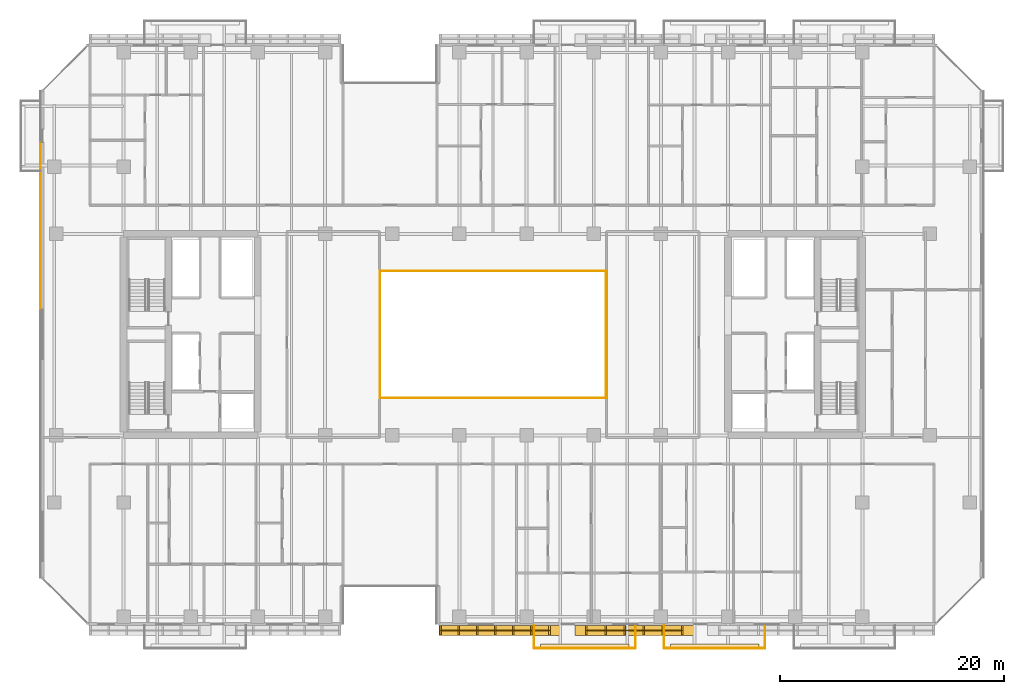
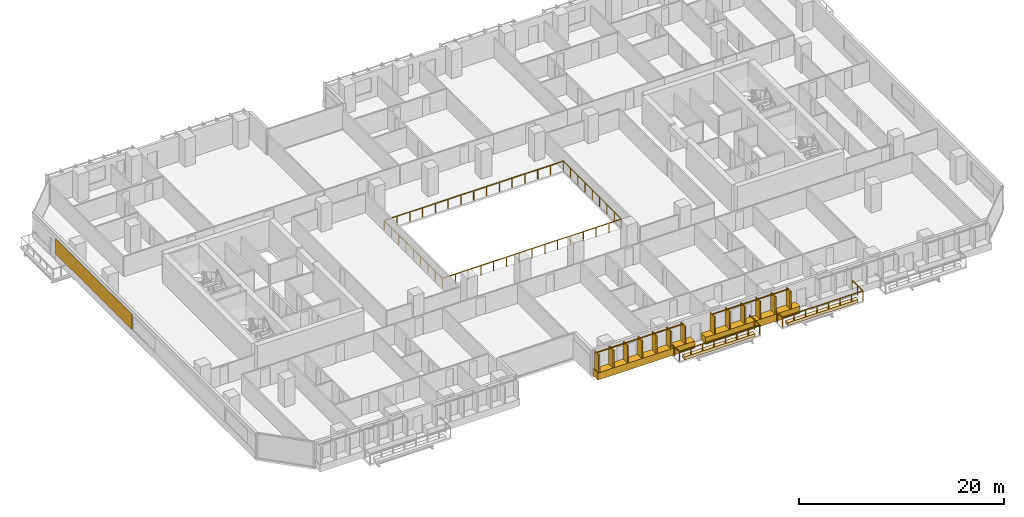
# One storey, part 28 of 33: 6 railings, 5 coverings.
"""IFC4 building model written with IfcOpenShell, lengths in metres."""

from ifc_helpers import new_model, si_unit, direction, frame, origin, origin_2d, place, context, subcontext, project, spatial, polyline, rectangle, outline, extrude, material, layer, layer_set, type_object, element, save


model = new_model("IFC4")

# Units and contexts
model_context = context("Model", 3, precision=1e-05, world=origin(), true_north=direction((0.0, 1.0)))
body_context = subcontext(model_context, "Body", "Model", "MODEL_VIEW")
ifc_project = project(units=[si_unit("LENGTHUNIT", "METRE"), si_unit("AREAUNIT", "SQUARE_METRE"), si_unit("VOLUMEUNIT", "CUBIC_METRE"), si_unit("PLANEANGLEUNIT", "RADIAN"), si_unit("MASSUNIT", "GRAM", prefix="KILO")], contexts=[model_context])

# Site, building, storey
site_placement = place(None, origin())
site = spatial("IfcSite", under=ifc_project, at=site_placement, CompositionType="ELEMENT")
building_placement = place(site_placement, origin())
building = spatial("IfcBuilding", under=site, at=building_placement, Name="Tanjung Sevakor Pilgrim Tower", CompositionType="ELEMENT")
storey_placement = place(building_placement, frame((0.0, 0.0, 52.139892578125)))
storey = spatial("IfcBuildingStorey", under=building, at=storey_placement, Name="L14", CompositionType="ELEMENT", Elevation=52.139892578125)

# Coverings
ifc_material_1 = material(Name="Reconstructed Limestone Cladding", Category="masonry")
ifc_layer_1 = layer(ifc_material_1, 0.044921875)
ifc_layer_set_1 = layer_set([ifc_layer_1], Name="COV-CLAD-LIMESTONE")
covering_type_1 = type_object("IfcCoveringType", Name="COV-CLAD-LIMESTONE", PredefinedType="CLADDING", material=ifc_layer_set_1)
covering_1_placement = place(storey_placement, frame((57.635009765625, 7.169921875, 0.01025390625), z_axis=(0.0, 0.0, 1.0), x_axis=(1.0, 0.0, 0.0)))
element("IfcCovering", 1, at=covering_1_placement, inside=storey, type_object=covering_type_1, Name="L14 Warm Limestone Sill Spandrel EW-L14-MAIN-5-1", PredefinedType="CLADDING", context=body_context, shape_type="SweptSolid", body=[
    extrude(rectangle(XDim=10.909912109375, YDim=0.860107421875, at=origin_2d()), origin(), (0.0, 0.0, 1.0), 0.840087890625),
])
covering_2_placement = place(storey_placement, frame((69.625, 7.169921875, 0.01025390625), z_axis=(0.0, 0.0, 1.0), x_axis=(1.0, 0.0, 0.0)))
element("IfcCovering", 2, at=covering_2_placement, inside=storey, type_object=covering_type_1, Name="L14 Warm Limestone Sill Spandrel EW-L14-MAIN-5-2", PredefinedType="CLADDING", context=body_context, shape_type="SweptSolid", body=[
    extrude(rectangle(XDim=10.6298828125, YDim=0.860107421875, at=origin_2d()), origin(), (0.0, 0.0, 1.0), 0.840087890625),
])
covering_3_placement = place(storey_placement, frame((16.577392578125, 43.300048828125, 0.85009765625), z_axis=(0.0, 0.0, 1.0), x_axis=(0.0, -1.0, 0.0)))
element("IfcCovering", 3, at=covering_3_placement, inside=storey, type_object=covering_type_1, Name="L14 Warm Limestone Pier Panel EW-L14-MAIN-15-1", PredefinedType="CLADDING", context=body_context, shape_type="SweptSolid", body=[
    extrude(rectangle(XDim=14.89990234375, YDim=0.044921875, at=origin_2d()), origin(), (0.0, 0.0, 1.0), 1.81005859375),
])
ifc_material_2 = material(Name="Vegetated Modular Planter Assembly", Category="organic")
ifc_layer_2 = layer(ifc_material_2, 0.35009765625)
ifc_layer_set_2 = layer_set([ifc_layer_2], Name="COV-GRN-TROUGH")
covering_type_2 = type_object("IfcCoveringType", Name="COV-GRN-TROUGH", PredefinedType="CLADDING", material=ifc_layer_set_2)
covering_4_placement = place(storey_placement, origin())
element("IfcCovering", 4, at=covering_4_placement, inside=storey, type_object=covering_type_2, Name="L14 Planted Landscape Hedge Trough BGRN-L14-MAIN-S2", PredefinedType="CLADDING", context=body_context, shape_type="SweptSolid", body=[
    extrude(outline(polyline([(61.25, 5.5), (69.14990234375, 5.5), (69.14990234375, 5.93994140625), (61.25, 5.93994140625), (61.25, 5.5)])), origin(), (0.0, 0.0, 1.0), 0.35009765625),
])
covering_5_placement = place(storey_placement, origin())
element("IfcCovering", 5, at=covering_5_placement, inside=storey, type_object=covering_type_2, Name="L14 Planted Landscape Hedge Trough BGRN-L14-MAIN-S3", PredefinedType="CLADDING", context=body_context, shape_type="SweptSolid", body=[
    extrude(outline(polyline([(72.85009765625, 5.5), (80.75, 5.5), (80.75, 5.93994140625), (72.85009765625, 5.93994140625), (72.85009765625, 5.5)])), origin(), (0.0, 0.0, 1.0), 0.35009765625),
])

# Railings
ifc_material_3 = material(Name="Laminated Glass and Aluminium", Category="aluminium")
railing_type_1 = type_object("IfcRailingType", Name="RL-BAL-BALUST", PredefinedType="BALUSTRADE", material=ifc_material_3)
railing_1_placement = place(storey_placement, frame((46.919921875, 27.919921875, 0.0)))
element("IfcRailing", 6, at=railing_1_placement, inside=storey, type_object=railing_type_1, Name="L14 Void Opening Balustrade 1A", PredefinedType="BALUSTRADE", context=body_context, shape_type="SweptSolid", body=[
    extrude(rectangle(XDim=0.0479, YDim=0.0479), frame((0.0, 0.0, 1.1259765625), z_axis=(1.0, 0.0, 0.0), x_axis=(0.0, 1.0, 0.0)), (0.0, 0.0, 1.0), 20.16015625),
    extrude(rectangle(XDim=0.0479, YDim=0.0479), frame((20.16015625, 0.0, 1.1259765625), z_axis=(0.0, 1.0, 0.0), x_axis=(-1.0, 0.0, 0.0)), (0.0, 0.0, 1.0), 11.360107421875),
    extrude(rectangle(XDim=0.042, YDim=0.042), origin(), (0.0, 0.0, 1.0), 1.101806640625),
    extrude(rectangle(XDim=0.042, YDim=0.042), frame((1.43994140625, 0.0, 0.0)), (0.0, 0.0, 1.0), 1.101806640625),
    extrude(rectangle(XDim=0.042, YDim=0.042), frame((2.880126953125, 0.0, 0.0)), (0.0, 0.0, 1.0), 1.101806640625),
    extrude(rectangle(XDim=0.042, YDim=0.042), frame((4.320068359375, 0.0, 0.0)), (0.0, 0.0, 1.0), 1.101806640625),
    extrude(rectangle(XDim=0.042, YDim=0.042), frame((5.760009765625, 0.0, 0.0)), (0.0, 0.0, 1.0), 1.101806640625),
    extrude(rectangle(XDim=0.042, YDim=0.042), frame((7.199951171875, 0.0, 0.0)), (0.0, 0.0, 1.0), 1.101806640625),
    extrude(rectangle(XDim=0.042, YDim=0.042), frame((8.64013671875, 0.0, 0.0)), (0.0, 0.0, 1.0), 1.101806640625),
    extrude(rectangle(XDim=0.042, YDim=0.042), frame((10.080078125, 0.0, 0.0)), (0.0, 0.0, 1.0), 1.101806640625),
    extrude(rectangle(XDim=0.042, YDim=0.042), frame((11.52001953125, 0.0, 0.0)), (0.0, 0.0, 1.0), 1.101806640625),
    extrude(rectangle(XDim=0.042, YDim=0.042), frame((12.960205078125, 0.0, 0.0)), (0.0, 0.0, 1.0), 1.101806640625),
    extrude(rectangle(XDim=0.042, YDim=0.042), frame((14.400146484375, 0.0, 0.0)), (0.0, 0.0, 1.0), 1.101806640625),
    extrude(rectangle(XDim=0.042, YDim=0.042), frame((15.840087890625, 0.0, 0.0)), (0.0, 0.0, 1.0), 1.101806640625),
    extrude(rectangle(XDim=0.042, YDim=0.042), frame((17.280029296875, 0.0, 0.0)), (0.0, 0.0, 1.0), 1.101806640625),
    extrude(rectangle(XDim=0.042, YDim=0.042), frame((18.72021484375, 0.0, 0.0)), (0.0, 0.0, 1.0), 1.101806640625),
    extrude(rectangle(XDim=0.042, YDim=0.042), frame((20.16015625, 0.0, 0.0)), (0.0, 0.0, 1.0), 1.101806640625),
    extrude(rectangle(XDim=0.042, YDim=0.042), frame((20.16015625, 1.419921875, 0.0)), (0.0, 0.0, 1.0), 1.101806640625),
    extrude(rectangle(XDim=0.042, YDim=0.042), frame((20.16015625, 2.840087890625, 0.0)), (0.0, 0.0, 1.0), 1.101806640625),
    extrude(rectangle(XDim=0.042, YDim=0.042), frame((20.16015625, 4.260009765625, 0.0)), (0.0, 0.0, 1.0), 1.101806640625),
    extrude(rectangle(XDim=0.042, YDim=0.042), frame((20.16015625, 5.68017578125, 0.0)), (0.0, 0.0, 1.0), 1.101806640625),
    extrude(rectangle(XDim=0.042, YDim=0.042), frame((20.16015625, 7.10009765625, 0.0)), (0.0, 0.0, 1.0), 1.101806640625),
    extrude(rectangle(XDim=0.042, YDim=0.042), frame((20.16015625, 8.52001953125, 0.0)), (0.0, 0.0, 1.0), 1.101806640625),
    extrude(rectangle(XDim=0.042, YDim=0.042), frame((20.16015625, 9.940185546875, 0.0)), (0.0, 0.0, 1.0), 1.101806640625),
    extrude(rectangle(XDim=0.042, YDim=0.042), frame((20.16015625, 11.360107421875, 0.0)), (0.0, 0.0, 1.0), 1.101806640625),
])
railing_2_placement = place(storey_placement, frame((67.080078125, 39.280029296875, 0.0)))
element("IfcRailing", 7, at=railing_2_placement, inside=storey, type_object=railing_type_1, Name="L14 Void Opening Balustrade 1B", PredefinedType="BALUSTRADE", context=body_context, shape_type="SweptSolid", body=[
    extrude(rectangle(XDim=0.0479, YDim=0.0479), frame((0.0, 0.0, 1.1259765625), z_axis=(-1.0, 0.0, 0.0), x_axis=(0.0, -1.0, 0.0)), (0.0, 0.0, 1.0), 20.16015625),
    extrude(rectangle(XDim=0.0479, YDim=0.0479), frame((-20.16015625, 0.0, 1.1259765625), z_axis=(0.0, -1.0, 0.0), x_axis=(1.0, 0.0, 0.0)), (0.0, 0.0, 1.0), 11.360107421875),
    extrude(rectangle(XDim=0.042, YDim=0.042), origin(), (0.0, 0.0, 1.0), 1.101806640625),
    extrude(rectangle(XDim=0.042, YDim=0.042), frame((-1.43994140625, 0.0, 0.0)), (0.0, 0.0, 1.0), 1.101806640625),
    extrude(rectangle(XDim=0.042, YDim=0.042), frame((-2.880126953125, 0.0, 0.0)), (0.0, 0.0, 1.0), 1.101806640625),
    extrude(rectangle(XDim=0.042, YDim=0.042), frame((-4.320068359375, 0.0, 0.0)), (0.0, 0.0, 1.0), 1.101806640625),
    extrude(rectangle(XDim=0.042, YDim=0.042), frame((-5.760009765625, 0.0, 0.0)), (0.0, 0.0, 1.0), 1.101806640625),
    extrude(rectangle(XDim=0.042, YDim=0.042), frame((-7.199951171875, 0.0, 0.0)), (0.0, 0.0, 1.0), 1.101806640625),
    extrude(rectangle(XDim=0.042, YDim=0.042), frame((-8.64013671875, 0.0, 0.0)), (0.0, 0.0, 1.0), 1.101806640625),
    extrude(rectangle(XDim=0.042, YDim=0.042), frame((-10.080078125, 0.0, 0.0)), (0.0, 0.0, 1.0), 1.101806640625),
    extrude(rectangle(XDim=0.042, YDim=0.042), frame((-11.52001953125, 0.0, 0.0)), (0.0, 0.0, 1.0), 1.101806640625),
    extrude(rectangle(XDim=0.042, YDim=0.042), frame((-12.960205078125, 0.0, 0.0)), (0.0, 0.0, 1.0), 1.101806640625),
    extrude(rectangle(XDim=0.042, YDim=0.042), frame((-14.400146484375, 0.0, 0.0)), (0.0, 0.0, 1.0), 1.101806640625),
    extrude(rectangle(XDim=0.042, YDim=0.042), frame((-15.840087890625, 0.0, 0.0)), (0.0, 0.0, 1.0), 1.101806640625),
    extrude(rectangle(XDim=0.042, YDim=0.042), frame((-17.280029296875, 0.0, 0.0)), (0.0, 0.0, 1.0), 1.101806640625),
    extrude(rectangle(XDim=0.042, YDim=0.042), frame((-18.72021484375, 0.0, 0.0)), (0.0, 0.0, 1.0), 1.101806640625),
    extrude(rectangle(XDim=0.042, YDim=0.042), frame((-20.16015625, 0.0, 0.0)), (0.0, 0.0, 1.0), 1.101806640625),
    extrude(rectangle(XDim=0.042, YDim=0.042), frame((-20.16015625, -1.419921875, 0.0)), (0.0, 0.0, 1.0), 1.101806640625),
    extrude(rectangle(XDim=0.042, YDim=0.042), frame((-20.16015625, -2.840087890625, 0.0)), (0.0, 0.0, 1.0), 1.101806640625),
    extrude(rectangle(XDim=0.042, YDim=0.042), frame((-20.16015625, -4.260009765625, 0.0)), (0.0, 0.0, 1.0), 1.101806640625),
    extrude(rectangle(XDim=0.042, YDim=0.042), frame((-20.16015625, -5.68017578125, 0.0)), (0.0, 0.0, 1.0), 1.101806640625),
    extrude(rectangle(XDim=0.042, YDim=0.042), frame((-20.16015625, -7.10009765625, 0.0)), (0.0, 0.0, 1.0), 1.101806640625),
    extrude(rectangle(XDim=0.042, YDim=0.042), frame((-20.16015625, -8.52001953125, 0.0)), (0.0, 0.0, 1.0), 1.101806640625),
    extrude(rectangle(XDim=0.042, YDim=0.042), frame((-20.16015625, -9.940185546875, 0.0)), (0.0, 0.0, 1.0), 1.101806640625),
    extrude(rectangle(XDim=0.042, YDim=0.042), frame((-20.16015625, -11.360107421875, 0.0)), (0.0, 0.0, 1.0), 1.101806640625),
])
railing_3_placement = place(storey_placement, frame((60.679931640625, 7.60009765625, 0.0)))
element("IfcRailing", 8, at=railing_3_placement, inside=storey, type_object=railing_type_1, Name="L14 Loggia Balustrade MAIN-S2", PredefinedType="BALUSTRADE", context=body_context, shape_type="SweptSolid", body=[
    extrude(rectangle(XDim=0.0479, YDim=0.0479), frame((0.0, 0.0, 1.1259765625), z_axis=(0.0, -1.0, 0.0), x_axis=(1.0, 0.0, 0.0)), (0.0, 0.0, 1.0), 2.02001953125),
    extrude(rectangle(XDim=0.0479, YDim=0.0479), frame((0.0, -2.02001953125, 1.1259765625), z_axis=(1.0, 0.0, 0.0), x_axis=(0.0, 1.0, 0.0)), (0.0, 0.0, 1.0), 9.0400390625),
    extrude(rectangle(XDim=0.0479, YDim=0.0479), frame((9.0400390625, -2.02001953125, 1.1259765625), z_axis=(0.0, 1.0, 0.0), x_axis=(-1.0, 0.0, 0.0)), (0.0, 0.0, 1.0), 2.02001953125),
    extrude(rectangle(XDim=0.042, YDim=0.042), origin(), (0.0, 0.0, 1.0), 1.101806640625),
    extrude(rectangle(XDim=0.042, YDim=0.042), frame((0.0, -1.010009765625, 0.0)), (0.0, 0.0, 1.0), 1.101806640625),
    extrude(rectangle(XDim=0.042, YDim=0.042), frame((0.0, -2.02001953125, 0.0)), (0.0, 0.0, 1.0), 1.101806640625),
    extrude(rectangle(XDim=0.042, YDim=0.042), frame((1.29150390625, -2.02001953125, 0.0)), (0.0, 0.0, 1.0), 1.101806640625),
    extrude(rectangle(XDim=0.042, YDim=0.042), frame((2.582763671875, -2.02001953125, 0.0)), (0.0, 0.0, 1.0), 1.101806640625),
    extrude(rectangle(XDim=0.042, YDim=0.042), frame((3.874267578125, -2.02001953125, 0.0)), (0.0, 0.0, 1.0), 1.101806640625),
    extrude(rectangle(XDim=0.042, YDim=0.042), frame((5.165771484375, -2.02001953125, 0.0)), (0.0, 0.0, 1.0), 1.101806640625),
    extrude(rectangle(XDim=0.042, YDim=0.042), frame((6.457275390625, -2.02001953125, 0.0)), (0.0, 0.0, 1.0), 1.101806640625),
    extrude(rectangle(XDim=0.042, YDim=0.042), frame((7.74853515625, -2.02001953125, 0.0)), (0.0, 0.0, 1.0), 1.101806640625),
    extrude(rectangle(XDim=0.042, YDim=0.042), frame((9.0400390625, -2.02001953125, 0.0)), (0.0, 0.0, 1.0), 1.101806640625),
    extrude(rectangle(XDim=0.042, YDim=0.042), frame((9.0400390625, -1.010009765625, 0.0)), (0.0, 0.0, 1.0), 1.101806640625),
    extrude(rectangle(XDim=0.042, YDim=0.042), frame((9.0400390625, 0.0, 0.0)), (0.0, 0.0, 1.0), 1.101806640625),
])
railing_4_placement = place(storey_placement, frame((72.280029296875, 7.60009765625, 0.0)))
element("IfcRailing", 9, at=railing_4_placement, inside=storey, type_object=railing_type_1, Name="L14 Loggia Balustrade MAIN-S3", PredefinedType="BALUSTRADE", context=body_context, shape_type="SweptSolid", body=[
    extrude(rectangle(XDim=0.0479, YDim=0.0479), frame((0.0, 0.0, 1.1259765625), z_axis=(0.0, -1.0, 0.0), x_axis=(1.0, 0.0, 0.0)), (0.0, 0.0, 1.0), 2.02001953125),
    extrude(rectangle(XDim=0.0479, YDim=0.0479), frame((0.0, -2.02001953125, 1.1259765625), z_axis=(1.0, 0.0, 0.0), x_axis=(0.0, 1.0, 0.0)), (0.0, 0.0, 1.0), 9.0400390625),
    extrude(rectangle(XDim=0.0479, YDim=0.0479), frame((9.0400390625, -2.02001953125, 1.1259765625), z_axis=(0.0, 1.0, 0.0), x_axis=(-1.0, 0.0, 0.0)), (0.0, 0.0, 1.0), 2.02001953125),
    extrude(rectangle(XDim=0.042, YDim=0.042), origin(), (0.0, 0.0, 1.0), 1.101806640625),
    extrude(rectangle(XDim=0.042, YDim=0.042), frame((0.0, -1.010009765625, 0.0)), (0.0, 0.0, 1.0), 1.101806640625),
    extrude(rectangle(XDim=0.042, YDim=0.042), frame((0.0, -2.02001953125, 0.0)), (0.0, 0.0, 1.0), 1.101806640625),
    extrude(rectangle(XDim=0.042, YDim=0.042), frame((1.29150390625, -2.02001953125, 0.0)), (0.0, 0.0, 1.0), 1.101806640625),
    extrude(rectangle(XDim=0.042, YDim=0.042), frame((2.582763671875, -2.02001953125, 0.0)), (0.0, 0.0, 1.0), 1.101806640625),
    extrude(rectangle(XDim=0.042, YDim=0.042), frame((3.874267578125, -2.02001953125, 0.0)), (0.0, 0.0, 1.0), 1.101806640625),
    extrude(rectangle(XDim=0.042, YDim=0.042), frame((5.165771484375, -2.02001953125, 0.0)), (0.0, 0.0, 1.0), 1.101806640625),
    extrude(rectangle(XDim=0.042, YDim=0.042), frame((6.457275390625, -2.02001953125, 0.0)), (0.0, 0.0, 1.0), 1.101806640625),
    extrude(rectangle(XDim=0.042, YDim=0.042), frame((7.74853515625, -2.02001953125, 0.0)), (0.0, 0.0, 1.0), 1.101806640625),
    extrude(rectangle(XDim=0.042, YDim=0.042), frame((9.0400390625, -2.02001953125, 0.0)), (0.0, 0.0, 1.0), 1.101806640625),
    extrude(rectangle(XDim=0.042, YDim=0.042), frame((9.0400390625, -1.010009765625, 0.0)), (0.0, 0.0, 1.0), 1.101806640625),
    extrude(rectangle(XDim=0.042, YDim=0.042), frame((9.0400390625, 0.0, 0.0)), (0.0, 0.0, 1.0), 1.101806640625),
])
ifc_material_4 = material(Name="Anodised Bronze Aluminium 6063-T6", Category="aluminium")
railing_type_2 = type_object("IfcRailingType", Name="RL-FIN-SCREEN", PredefinedType="BALUSTRADE", material=ifc_material_4)
railing_5_placement = place(storey_placement, frame((52.340087890625, 7.175048828125, 0.840087890625)))
element("IfcRailing", 10, at=railing_5_placement, inside=storey, type_object=railing_type_2, Name="L14 Vertical Bronze-Gold Solar Fin Screen FNSCR-EW-L14-MAIN-5-1", PredefinedType="BALUSTRADE", context=body_context, shape_type="SweptSolid", body=[
    extrude(rectangle(XDim=0.105, YDim=0.105), frame((0.0, 0.0, 2.157470703125), z_axis=(1.0, 0.0, 0.0), x_axis=(0.0, 1.0, 0.0)), (0.0, 0.0, 1.0), 9.7099609375),
    extrude(rectangle(XDim=0.14, YDim=0.85), origin(), (0.0, 0.0, 1.0), 2.10498046875),
    extrude(rectangle(XDim=0.14, YDim=0.85), frame((1.618408203125, 0.0, 0.0)), (0.0, 0.0, 1.0), 2.10498046875),
    extrude(rectangle(XDim=0.14, YDim=0.85), frame((3.236572265625, 0.0, 0.0)), (0.0, 0.0, 1.0), 2.10498046875),
    extrude(rectangle(XDim=0.14, YDim=0.85), frame((4.85498046875, 0.0, 0.0)), (0.0, 0.0, 1.0), 2.10498046875),
    extrude(rectangle(XDim=0.14, YDim=0.85), frame((6.473388671875, 0.0, 0.0)), (0.0, 0.0, 1.0), 2.10498046875),
    extrude(rectangle(XDim=0.14, YDim=0.85), frame((8.091552734375, 0.0, 0.0)), (0.0, 0.0, 1.0), 2.10498046875),
    extrude(rectangle(XDim=0.14, YDim=0.85), frame((9.7099609375, 0.0, 0.0)), (0.0, 0.0, 1.0), 2.10498046875),
])
railing_6_placement = place(storey_placement, frame((65.35009765625, 7.175048828125, 0.840087890625)))
element("IfcRailing", 11, at=railing_6_placement, inside=storey, type_object=railing_type_2, Name="L14 Vertical Bronze-Gold Solar Fin Screen FNSCR-EW-L14-MAIN-5-2", PredefinedType="BALUSTRADE", context=body_context, shape_type="SweptSolid", body=[
    extrude(rectangle(XDim=0.105, YDim=0.105), frame((0.0, 0.0, 2.157470703125), z_axis=(1.0, 0.0, 0.0), x_axis=(0.0, 1.0, 0.0)), (0.0, 0.0, 1.0), 8.5498046875),
    extrude(rectangle(XDim=0.14, YDim=0.85), origin(), (0.0, 0.0, 1.0), 2.10498046875),
    extrude(rectangle(XDim=0.14, YDim=0.85), frame((1.7099609375, 0.0, 0.0)), (0.0, 0.0, 1.0), 2.10498046875),
    extrude(rectangle(XDim=0.14, YDim=0.85), frame((3.419921875, 0.0, 0.0)), (0.0, 0.0, 1.0), 2.10498046875),
    extrude(rectangle(XDim=0.14, YDim=0.85), frame((5.1298828125, 0.0, 0.0)), (0.0, 0.0, 1.0), 2.10498046875),
    extrude(rectangle(XDim=0.14, YDim=0.85), frame((6.83984375, 0.0, 0.0)), (0.0, 0.0, 1.0), 2.10498046875),
    extrude(rectangle(XDim=0.14, YDim=0.85), frame((8.5498046875, 0.0, 0.0)), (0.0, 0.0, 1.0), 2.10498046875),
])

save(model, "model.ifc")
